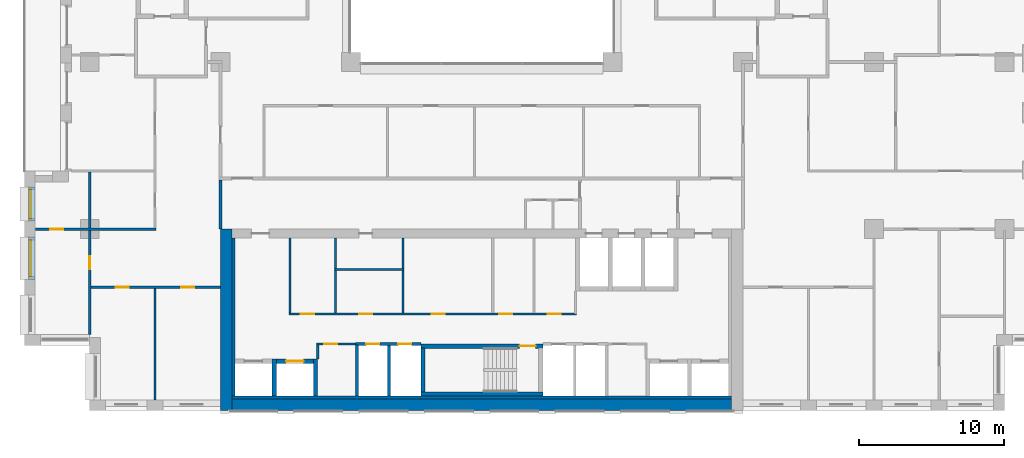
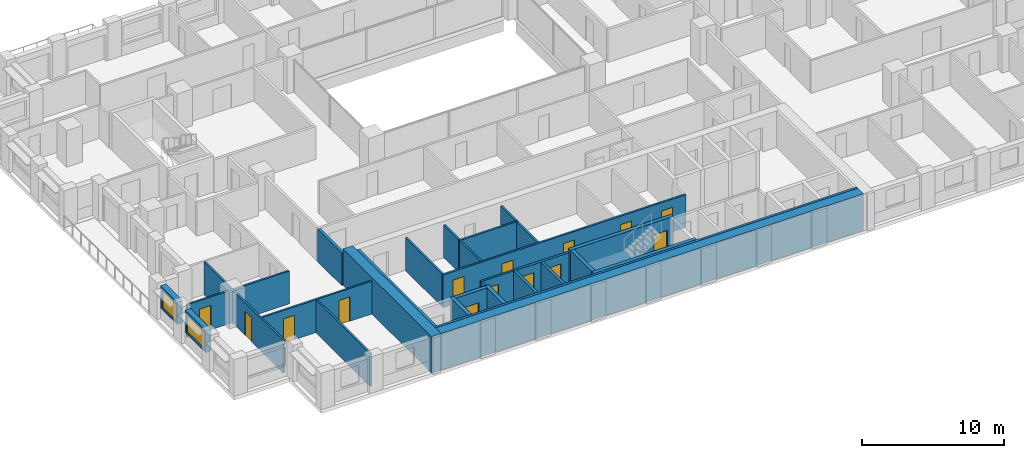
# One storey, part 8 of 17: 30 walls, 14 doors, 2 windows, 16 openings.
"""IFC4 building model written with IfcOpenShell, lengths in metres."""

from ifc_helpers import new_model, si_unit, direction, frame, frame_2d, origin, place, context, subcontext, project, spatial, rectangle, extrude, material, layer, layer_set, type_object, element, fill, save


model = new_model("IFC4")

# Units and contexts
model_context = context("Model", 3, precision=1e-05, world=origin(), true_north=direction((0.0, 1.0)))
body_context = subcontext(model_context, "Body", "Model", "MODEL_VIEW")
ifc_project = project(units=[si_unit("LENGTHUNIT", "METRE"), si_unit("AREAUNIT", "SQUARE_METRE"), si_unit("VOLUMEUNIT", "CUBIC_METRE"), si_unit("PLANEANGLEUNIT", "RADIAN"), si_unit("MASSUNIT", "GRAM", prefix="KILO")], contexts=[model_context])

# Site, building, storey
site_placement = place(None, origin())
site = spatial("IfcSite", under=ifc_project, at=site_placement, CompositionType="ELEMENT")
building_placement = place(site_placement, origin())
building = spatial("IfcBuilding", under=site, at=building_placement, Name="Brigalow Station Residences", CompositionType="ELEMENT")
storey_placement = place(building_placement, frame((0.0, 0.0, 111.89990234375)))
storey = spatial("IfcBuildingStorey", under=building, at=storey_placement, Name="L32", CompositionType="ELEMENT", Elevation=111.89990234375)

# Wall, opening, window
ifc_material_1 = material(Name="Clay brick masonry", Category="masonry")
ifc_layer_1 = layer(ifc_material_1, 0.449951171875)
ifc_layer_set_1 = layer_set([ifc_layer_1], Name="BRICK INFILL WALL 450")
wall_type_1 = type_object("IfcWallType", Name="BRICK INFILL WALL 450", PredefinedType="SOLIDWALL", material=ifc_layer_set_1)
wall_1_placement = place(storey_placement, frame((5.02490234375, 15.39990234375, 0.900146484375), z_axis=(0.0, 0.0, 1.0), x_axis=(0.0, -1.0, 0.0)))
wall_1 = element("IfcWall", 1, at=wall_1_placement, inside=storey, type_object=wall_type_1, Name="L32/ewall/W-L32-47", PredefinedType="SOLIDWALL", context=body_context, shape_type="SweptSolid", body=[
    extrude(rectangle(XDim=2.349853515625, YDim=0.449951171875, at=frame_2d((1.1748046875, 0.0))), origin(), (0.0, 0.0, 1.0), 1.929931640625),
])
opening_1_placement = place(wall_1_placement, frame((0.175048828125, 0.0, 0.14990234375)))
opening_1 = element("IfcOpeningElement", 2, at=opening_1_placement, cuts=wall_1, Name="Opening WT-7", PredefinedType="OPENING", context=body_context, shape_type="SweptSolid", body=[
    extrude(rectangle(XDim=2.0, YDim=1.5, at=frame_2d((1.0, 0.75))), frame((0.0, 0.23486328125, 0.0), z_axis=(0.0, -1.0, 0.0), x_axis=(1.0, 0.0, 0.0)), (0.0, 0.0, 1.0), 0.469970703125),
])
ifc_material_2 = material(Name="Anodised aluminium frame with double glazing", Category="aluminium")
window_type_1 = type_object("IfcWindowType", Name="WINDOW 2000x1500", PartitioningType="SINGLE_PANEL", PredefinedType="WINDOW", material=ifc_material_2)
window_1_placement = place(opening_1_placement, origin())
window_1 = element("IfcWindow", 3, at=window_1_placement, inside=storey, type_object=window_type_1, Name="L32/window/W-L32-47", OverallHeight=1.5, OverallWidth=2.0, PartitioningType="SINGLE_PANEL", PredefinedType="WINDOW", context=body_context, shape_type="SweptSolid", body=[
    extrude(rectangle(XDim=2.0, YDim=1.5, at=frame_2d((1.0, 0.75))), frame((0.0, -0.06494140625, 0.0), z_axis=(0.0, -1.0, 0.0), x_axis=(1.0, 0.0, 0.0)), (0.0, 0.0, 1.0), 0.06005859375),
])
fill(opening_1, window_1)

wall_2_placement = place(storey_placement, frame((5.02490234375, 11.949951171875, 0.900146484375), z_axis=(0.0, 0.0, 1.0), x_axis=(0.0, -1.0, 0.0)))
wall_2 = element("IfcWall", 4, at=wall_2_placement, inside=storey, type_object=wall_type_1, Name="L32/ewall/W-L32-48", PredefinedType="SOLIDWALL", context=body_context, shape_type="SweptSolid", body=[
    extrude(rectangle(XDim=2.89990234375, YDim=0.449951171875, at=frame_2d((1.449951171875, 0.0))), origin(), (0.0, 0.0, 1.0), 1.929931640625),
])
opening_2_placement = place(wall_2_placement, frame((0.199951171875, 0.0, 0.14990234375)))
opening_2 = element("IfcOpeningElement", 5, at=opening_2_placement, cuts=wall_2, Name="Opening WT-5", PredefinedType="OPENING", context=body_context, shape_type="SweptSolid", body=[
    extrude(rectangle(XDim=2.5, YDim=1.5, at=frame_2d((1.25, 0.75))), frame((0.0, 0.23486328125, 0.0), z_axis=(0.0, -1.0, 0.0), x_axis=(1.0, 0.0, 0.0)), (0.0, 0.0, 1.0), 0.469970703125),
])
ifc_material_3 = material(Name="Anodised aluminium frame with double glazing", Category="aluminium")
window_type_2 = type_object("IfcWindowType", Name="WINDOW 2500x1500", PartitioningType="SINGLE_PANEL", PredefinedType="WINDOW", material=ifc_material_3)
window_2_placement = place(opening_2_placement, origin())
window_2 = element("IfcWindow", 6, at=window_2_placement, inside=storey, type_object=window_type_2, Name="L32/window/W-L32-48", OverallHeight=1.5, OverallWidth=2.5, PartitioningType="SINGLE_PANEL", PredefinedType="WINDOW", context=body_context, shape_type="SweptSolid", body=[
    extrude(rectangle(XDim=2.5, YDim=1.5, at=frame_2d((1.25, 0.75))), frame((0.0, -0.06494140625, 0.0), z_axis=(0.0, -1.0, 0.0), x_axis=(1.0, 0.0, 0.0)), (0.0, 0.0, 1.0), 0.06005859375),
])
fill(opening_2, window_2)

# Walls
ifc_material_4 = material(Name="Concrete C65", Category="concrete")
ifc_layer_2 = layer(ifc_material_4, 0.199951171875)
ifc_layer_set_2 = layer_set([ifc_layer_2], Name="CORE SHEAR WALL 200 C65")
wall_type_2 = type_object("IfcWallType", Name="CORE SHEAR WALL 200 C65", PredefinedType="SHEAR", material=ifc_layer_set_2)
wall_3_placement = place(storey_placement, frame((18.89990234375, 1.0, 0.0), z_axis=(0.0, 0.0, 1.0), x_axis=(0.0, 1.0, 0.0)))
element("IfcWall", 7, at=wall_3_placement, inside=storey, type_object=wall_type_2, Name="CORE WALL LIN-W L32", PredefinedType="SHEAR", context=body_context, shape_type="SweptSolid", body=[
    extrude(rectangle(XDim=10.89990234375, YDim=0.199951171875, at=frame_2d((5.449951171875, 0.0))), origin(), (0.0, 0.0, 1.0), 3.150146484375),
])
wall_4_placement = place(storey_placement, frame((18.800048828125, 0.89990234375, 0.0), z_axis=(0.0, 0.0, 1.0), x_axis=(1.0, 0.0, 0.0)))
element("IfcWall", 8, at=wall_4_placement, inside=storey, type_object=wall_type_2, Name="CORE WALL LIN-S L32", PredefinedType="SHEAR", context=body_context, shape_type="SweptSolid", body=[
    extrude(rectangle(XDim=34.39990234375, YDim=0.199951171875, at=frame_2d((17.199951171875, 0.0))), origin(), (0.0, 0.0, 1.0), 3.150146484375),
])

# Wall, opening, door
ifc_material_5 = material(Name="Concrete C65", Category="concrete")
ifc_layer_3 = layer(ifc_material_5, 0.300048828125)
ifc_layer_set_3 = layer_set([ifc_layer_3], Name="CORE SHEAR WALL 300 C65")
wall_type_3 = type_object("IfcWallType", Name="CORE SHEAR WALL 300 C65", PredefinedType="SHEAR", material=ifc_layer_set_3)
wall_5_placement = place(storey_placement, frame((21.85009765625, 3.39990234375, 0.0), z_axis=(0.0, 0.0, 1.0), x_axis=(1.0, 0.0, 0.0)))
wall_5 = element("IfcWall", 9, at=wall_5_placement, inside=storey, type_object=wall_type_3, Name="CORE WALL SH-C2-N L32", PredefinedType="SHEAR", context=body_context, shape_type="SweptSolid", body=[
    extrude(rectangle(XDim=2.5498046875, YDim=0.300048828125, at=frame_2d((1.27490234375, 0.0))), origin(), (0.0, 0.0, 1.0), 3.150146484375),
])
opening_3_placement = place(wall_5_placement, frame((0.675048828125, 0.0, 0.0)))
opening_3 = element("IfcOpeningElement", 10, at=opening_3_placement, cuts=wall_5, Name="Opening LD-LB2", PredefinedType="OPENING", context=body_context, shape_type="SweptSolid", body=[
    extrude(rectangle(XDim=1.199951171875, YDim=2.10009765625, at=frame_2d((0.60009765625, 1.050048828125))), frame((0.0, 0.16015625, 0.0), z_axis=(0.0, -1.0, 0.0), x_axis=(1.0, 0.0, 0.0)), (0.0, 0.0, 1.0), 0.320068359375),
])
ifc_material_6 = material(Name="Stainless steel sliding door leaves", Category="steel")
door_type_1 = type_object("IfcDoorType", Name="LIFT LANDING DOOR 1200 x 2100", OperationType="DOUBLE_DOOR_SLIDING", PredefinedType="DOOR", material=ifc_material_6)
door_1_placement = place(opening_3_placement, origin())
door_1 = element("IfcDoor", 11, at=door_1_placement, inside=storey, type_object=door_type_1, Name="LANDING DOOR LB2", OperationType="DOUBLE_DOOR_SLIDING", OverallHeight=2.10009765625, OverallWidth=1.199951171875, PredefinedType="DOOR", context=body_context, shape_type="SweptSolid", body=[
    extrude(rectangle(XDim=1.199951171875, YDim=2.10009765625, at=frame_2d((0.60009765625, 1.050048828125))), frame((0.0, 0.02490234375, 0.0), z_axis=(0.0, -1.0, 0.0), x_axis=(1.0, 0.0, 0.0)), (0.0, 0.0, 1.0), 0.050048828125),
])
fill(opening_3, door_1)

# Walls
for number, where, z_axis, x_axis, name in (
    (12, (21.699951171875, 1.0, 0.0), (0.0, 0.0, 1.0), (0.0, 1.0, 0.0), "CORE WALL SH-C2-W L32"),
    (13, (24.550048828125, 1.0, 0.0), (0.0, 0.0, 1.0), (0.0, 1.0, 0.0), "CORE WALL SH-C2-E L32"),
):
    element("IfcWall", number, at=place(storey_placement, frame(where, z_axis=z_axis, x_axis=x_axis)), inside=storey, type_object=wall_type_3, Name=name, PredefinedType="SHEAR", context=body_context, shape_type="SweptSolid", body=[
        extrude(rectangle(XDim=2.550048828125, YDim=0.300048828125, at=frame_2d((1.27490234375, 0.0))), origin(), (0.0, 0.0, 1.0), 3.150146484375),
    ])
wall_6_placement = place(storey_placement, frame((31.800048828125, 1.14990234375, 0.0), z_axis=(0.0, 0.0, 1.0), x_axis=(1.0, 0.0, 0.0)))
element("IfcWall", 14, at=wall_6_placement, inside=storey, type_object=wall_type_3, Name="CORE WALL ST-S2-S L32", PredefinedType="SHEAR", context=body_context, shape_type="SweptSolid", body=[
    extrude(rectangle(XDim=8.39990234375, YDim=0.300048828125, at=frame_2d((4.199951171875, 0.0))), origin(), (0.0, 0.0, 1.0), 3.150146484375),
])

# Wall, opening, door
wall_7_placement = place(storey_placement, frame((31.800048828125, 4.449951171875, 0.0), z_axis=(0.0, 0.0, 1.0), x_axis=(1.0, 0.0, 0.0)))
wall_7 = element("IfcWall", 15, at=wall_7_placement, inside=storey, type_object=wall_type_3, Name="CORE WALL ST-S2-N L32", PredefinedType="SHEAR", context=body_context, shape_type="SweptSolid", body=[
    extrude(rectangle(XDim=8.39990234375, YDim=0.300048828125, at=frame_2d((4.199951171875, 0.0))), origin(), (0.0, 0.0, 1.0), 3.150146484375),
])
opening_4_placement = place(wall_7_placement, frame((6.800048828125, 0.0, 0.0)))
opening_4 = element("IfcOpeningElement", 16, at=opening_4_placement, cuts=wall_7, Name="Opening D-5001", PredefinedType="OPENING", context=body_context, shape_type="SweptSolid", body=[
    extrude(rectangle(XDim=1.10009765625, YDim=2.10009765625, at=frame_2d((0.550048828125, 1.050048828125))), frame((0.0, 0.16015625, 0.0), z_axis=(0.0, -1.0, 0.0), x_axis=(1.0, 0.0, 0.0)), (0.0, 0.0, 1.0), 0.320068359375),
])
ifc_material_7 = material(Name="Steel fire door leaf in steel frame", Category="steel")
door_type_2 = type_object("IfcDoorType", Name="STAIR DOOR 1100 x 2100 FD60S", OperationType="SINGLE_SWING_LEFT", PredefinedType="DOOR", material=ifc_material_7)
door_2_placement = place(opening_4_placement, frame((1.10009765625, 0.0, 0.0), z_axis=(0.0, 0.0, 1.0), x_axis=(-1.0, 0.0, 0.0)))
door_2 = element("IfcDoor", 17, at=door_2_placement, inside=storey, type_object=door_type_2, Name="D-5001", OperationType="SINGLE_SWING_LEFT", OverallHeight=2.10009765625, OverallWidth=1.10009765625, PredefinedType="DOOR", context=body_context, shape_type="SweptSolid", body=[
    extrude(rectangle(XDim=1.10009765625, YDim=2.10009765625, at=frame_2d((0.550048828125, 1.050048828125))), frame((0.0, 0.02490234375, 0.0), z_axis=(0.0, -1.0, 0.0), x_axis=(1.0, 0.0, 0.0)), (0.0, 0.0, 1.0), 0.050048828125),
])
fill(opening_4, door_2)

# Walls
wall_8_placement = place(storey_placement, frame((31.949951171875, 1.300048828125, 0.0), z_axis=(0.0, 0.0, 1.0), x_axis=(0.0, 1.0, 0.0)))
element("IfcWall", 18, at=wall_8_placement, inside=storey, type_object=wall_type_3, Name="CORE WALL ST-S2-W L32", PredefinedType="SHEAR", context=body_context, shape_type="SweptSolid", body=[
    extrude(rectangle(XDim=3.0, YDim=0.300048828125, at=frame_2d((1.5, 0.0))), origin(), (0.0, 0.0, 1.0), 3.150146484375),
])
ifc_material_8 = material(Name="Concrete C65", Category="concrete")
ifc_layer_4 = layer(ifc_material_8, 0.800048828125)
ifc_layer_set_4 = layer_set([ifc_layer_4], Name="CORE SHEAR WALL 800 C65")
wall_type_4 = type_object("IfcWallType", Name="CORE SHEAR WALL 800 C65", PredefinedType="SHEAR", material=ifc_layer_set_4)
wall_9_placement = place(storey_placement, frame((18.39990234375, 0.0, 0.0), z_axis=(0.0, 0.0, 1.0), x_axis=(0.0, 1.0, 0.0)))
element("IfcWall", 19, at=wall_9_placement, inside=storey, type_object=wall_type_4, Name="CORE WALL OUT-W L32", PredefinedType="SHEAR", context=body_context, shape_type="SweptSolid", body=[
    extrude(rectangle(XDim=12.5, YDim=0.800048828125, at=frame_2d((6.25, 0.0))), origin(), (0.0, 0.0, 1.0), 3.150146484375),
])
wall_10_placement = place(storey_placement, frame((18.800048828125, 0.39990234375, 0.0), z_axis=(0.0, 0.0, 1.0), x_axis=(1.0, 0.0, 0.0)))
element("IfcWall", 20, at=wall_10_placement, inside=storey, type_object=wall_type_4, Name="CORE WALL OUT-S L32", PredefinedType="SHEAR", context=body_context, shape_type="SweptSolid", body=[
    extrude(rectangle(XDim=34.39990234375, YDim=0.800048828125, at=frame_2d((17.199951171875, 0.0))), origin(), (0.0, 0.0, 1.0), 3.150146484375),
])

# Wall, openings, doors
ifc_material_9 = material(Name="Concrete blockwork", Category="masonry")
ifc_layer_5 = layer(ifc_material_9, 0.199951171875)
ifc_layer_set_5 = layer_set([ifc_layer_5], Name="FIRE RATED CORE PARTITION 200")
wall_type_5 = type_object("IfcWallType", Name="FIRE RATED CORE PARTITION 200", PredefinedType="PARTITIONING", material=ifc_layer_set_5)
wall_11_placement = place(storey_placement, frame((27.300048828125, 4.60009765625, 0.0), z_axis=(0.0, 0.0, 1.0), x_axis=(1.0, 0.0, 0.0)))
wall_11 = element("IfcWall", 21, at=wall_11_placement, inside=storey, type_object=wall_type_5, Name="PW-5017", PredefinedType="PARTITIONING", context=body_context, shape_type="SweptSolid", body=[
    extrude(rectangle(XDim=4.5, YDim=0.199951171875, at=frame_2d((2.25, 0.0))), origin(), (0.0, 0.0, 1.0), 2.830078125),
])
opening_5_placement = place(wall_11_placement, frame((0.75, 0.0, 0.0)))
opening_5 = element("IfcOpeningElement", 22, at=opening_5_placement, cuts=wall_11, Name="Opening D-5007", PredefinedType="OPENING", context=body_context, shape_type="SweptSolid", body=[
    extrude(rectangle(XDim=0.89990234375, YDim=2.10009765625, at=frame_2d((0.449951171875, 1.050048828125))), frame((0.0, 0.10986328125, 0.0), z_axis=(0.0, -1.0, 0.0), x_axis=(1.0, 0.0, 0.0)), (0.0, 0.0, 1.0), 0.219970703125),
])
opening_6_placement = place(wall_11_placement, frame((2.949951171875, 0.0, 0.0)))
opening_6 = element("IfcOpeningElement", 23, at=opening_6_placement, cuts=wall_11, Name="Opening D-5008", PredefinedType="OPENING", context=body_context, shape_type="SweptSolid", body=[
    extrude(rectangle(XDim=0.89990234375, YDim=2.10009765625, at=frame_2d((0.449951171875, 1.050048828125))), frame((0.0, 0.10986328125, 0.0), z_axis=(0.0, -1.0, 0.0), x_axis=(1.0, 0.0, 0.0)), (0.0, 0.0, 1.0), 0.219970703125),
])
ifc_material_10 = material(Name="Steel fire door leaf in steel frame", Category="steel")
door_type_3 = type_object("IfcDoorType", Name="RISER ACCESS DOOR 900 x 2100 FD120", OperationType="SINGLE_SWING_LEFT", PredefinedType="DOOR", material=ifc_material_10)
door_3_placement = place(opening_5_placement, frame((0.89990234375, 0.0, 0.0), z_axis=(0.0, 0.0, 1.0), x_axis=(-1.0, 0.0, 0.0)))
door_3 = element("IfcDoor", 24, at=door_3_placement, inside=storey, type_object=door_type_3, Name="D-5007", OperationType="SINGLE_SWING_RIGHT", OverallHeight=2.10009765625, OverallWidth=0.89990234375, PredefinedType="DOOR", context=body_context, shape_type="SweptSolid", body=[
    extrude(rectangle(XDim=0.89990234375, YDim=2.10009765625, at=frame_2d((0.449951171875, 1.050048828125))), frame((0.0, 0.02490234375, 0.0), z_axis=(0.0, -1.0, 0.0), x_axis=(1.0, 0.0, 0.0)), (0.0, 0.0, 1.0), 0.050048828125),
])
fill(opening_5, door_3)
door_4_placement = place(opening_6_placement, frame((0.89990234375, 0.0, 0.0), z_axis=(0.0, 0.0, 1.0), x_axis=(-1.0, 0.0, 0.0)))
door_4 = element("IfcDoor", 25, at=door_4_placement, inside=storey, type_object=door_type_3, Name="D-5008", OperationType="SINGLE_SWING_RIGHT", OverallHeight=2.10009765625, OverallWidth=0.89990234375, PredefinedType="DOOR", context=body_context, shape_type="SweptSolid", body=[
    extrude(rectangle(XDim=0.89990234375, YDim=2.10009765625, at=frame_2d((0.449951171875, 1.050048828125))), frame((0.0, 0.02490234375, 0.0), z_axis=(0.0, -1.0, 0.0), x_axis=(1.0, 0.0, 0.0)), (0.0, 0.0, 1.0), 0.050048828125),
])
fill(opening_6, door_4)

# Walls
wall_12_placement = place(storey_placement, frame((27.39990234375, 1.0, 0.0), z_axis=(0.0, 0.0, 1.0), x_axis=(0.0, 1.0, 0.0)))
element("IfcWall", 26, at=wall_12_placement, inside=storey, type_object=wall_type_5, Name="PW-5027", PredefinedType="PARTITIONING", context=body_context, shape_type="SweptSolid", body=[
    extrude(rectangle(XDim=3.52490234375, YDim=0.199951171875, at=frame_2d((1.762451171875, 0.0))), origin(), (0.0, 0.0, 1.0), 2.830078125),
])
wall_13_placement = place(storey_placement, frame((29.60009765625, 1.0, 0.0), z_axis=(0.0, 0.0, 1.0), x_axis=(0.0, 1.0, 0.0)))
element("IfcWall", 27, at=wall_13_placement, inside=storey, type_object=wall_type_5, Name="PW-5006", PredefinedType="PARTITIONING", context=body_context, shape_type="SweptSolid", body=[
    extrude(rectangle(XDim=3.5, YDim=0.199951171875, at=frame_2d((1.75, 0.0))), origin(), (0.0, 0.0, 1.0), 2.830078125),
])
wall_14_placement = place(storey_placement, frame((18.0, 12.5, 0.0), z_axis=(0.0, 0.0, 1.0), x_axis=(0.0, 1.0, 0.0)))
element("IfcWall", 28, at=wall_14_placement, inside=storey, type_object=wall_type_5, Name="PW-5013", PredefinedType="PARTITIONING", context=body_context, shape_type="SweptSolid", body=[
    extrude(rectangle(XDim=3.39990234375, YDim=0.199951171875, at=frame_2d((1.699951171875, 0.0))), origin(), (0.0, 0.0, 1.0), 2.830078125),
])

# Wall, opening, door
ifc_material_11 = material(Name="Plasterboard on steel stud partition", Category="steel")
ifc_layer_6 = layer(ifc_material_11, 0.14990234375)
ifc_layer_set_6 = layer_set([ifc_layer_6], Name="FLAT PARTITION 150")
wall_type_6 = type_object("IfcWallType", Name="FLAT PARTITION 150", PredefinedType="PARTITIONING", material=ifc_layer_set_6)
wall_15_placement = place(storey_placement, frame((5.25, 12.5, 0.0), z_axis=(0.0, 0.0, 1.0), x_axis=(1.0, 0.0, 0.0)))
wall_15 = element("IfcWall", 29, at=wall_15_placement, inside=storey, type_object=wall_type_6, Name="PW-2D10", PredefinedType="PARTITIONING", context=body_context, shape_type="SweptSolid", body=[
    extrude(rectangle(XDim=8.324951171875, YDim=0.14990234375, at=frame_2d((4.16259765625, 0.0))), origin(), (0.0, 0.0, 1.0), 2.830078125),
])
opening_7_placement = place(wall_15_placement, frame((1.02490234375, 0.0, 0.0)))
opening_7 = element("IfcOpeningElement", 30, at=opening_7_placement, cuts=wall_15, Name="Opening D-2D05", PredefinedType="OPENING", context=body_context, shape_type="SweptSolid", body=[
    extrude(rectangle(XDim=0.89990234375, YDim=2.10009765625, at=frame_2d((0.449951171875, 1.050048828125))), frame((0.0, 0.0849609375, 0.0), z_axis=(0.0, -1.0, 0.0), x_axis=(1.0, 0.0, 0.0)), (0.0, 0.0, 1.0), 0.169921875),
])
ifc_material_12 = material(Name="Solid-core timber door leaf", Category="wood")
door_type_4 = type_object("IfcDoorType", Name="INTERNAL DOOR 900 x 2100", OperationType="SINGLE_SWING_LEFT", PredefinedType="DOOR", material=ifc_material_12)
door_5_placement = place(opening_7_placement, origin())
door_5 = element("IfcDoor", 31, at=door_5_placement, inside=storey, type_object=door_type_4, Name="D-2D05", OperationType="SINGLE_SWING_LEFT", OverallHeight=2.10009765625, OverallWidth=0.89990234375, PredefinedType="DOOR", context=body_context, shape_type="SweptSolid", body=[
    extrude(rectangle(XDim=0.89990234375, YDim=2.10009765625, at=frame_2d((0.449951171875, 1.050048828125))), frame((0.0, 0.02490234375, 0.0), z_axis=(0.0, -1.0, 0.0), x_axis=(1.0, 0.0, 0.0)), (0.0, 0.0, 1.0), 0.050048828125),
])
fill(opening_7, door_5)

# Wall, openings, doors
wall_16_placement = place(storey_placement, frame((9.074951171875, 8.5, 0.0), z_axis=(0.0, 0.0, 1.0), x_axis=(1.0, 0.0, 0.0)))
wall_16 = element("IfcWall", 32, at=wall_16_placement, inside=storey, type_object=wall_type_6, Name="PW-2D14", PredefinedType="PARTITIONING", context=body_context, shape_type="SweptSolid", body=[
    extrude(rectangle(XDim=8.925048828125, YDim=0.14990234375, at=frame_2d((4.46240234375, 0.0))), origin(), (0.0, 0.0, 1.0), 2.830078125),
])
opening_8_placement = place(wall_16_placement, frame((1.72509765625, 0.0, 0.0)))
opening_8 = element("IfcOpeningElement", 33, at=opening_8_placement, cuts=wall_16, Name="Opening D-2D06", PredefinedType="OPENING", context=body_context, shape_type="SweptSolid", body=[
    extrude(rectangle(XDim=0.89990234375, YDim=2.10009765625, at=frame_2d((0.449951171875, 1.050048828125))), frame((0.0, 0.0849609375, 0.0), z_axis=(0.0, -1.0, 0.0), x_axis=(1.0, 0.0, 0.0)), (0.0, 0.0, 1.0), 0.169921875),
])
opening_9_placement = place(wall_16_placement, frame((6.22509765625, 0.0, 0.0)))
opening_9 = element("IfcOpeningElement", 34, at=opening_9_placement, cuts=wall_16, Name="Opening D-2D07", PredefinedType="OPENING", context=body_context, shape_type="SweptSolid", body=[
    extrude(rectangle(XDim=0.89990234375, YDim=2.10009765625, at=frame_2d((0.449951171875, 1.050048828125))), frame((0.0, 0.0849609375, 0.0), z_axis=(0.0, -1.0, 0.0), x_axis=(1.0, 0.0, 0.0)), (0.0, 0.0, 1.0), 0.169921875),
])
door_6_placement = place(opening_8_placement, frame((0.89990234375, 0.0, 0.0), z_axis=(0.0, 0.0, 1.0), x_axis=(-1.0, 0.0, 0.0)))
door_6 = element("IfcDoor", 35, at=door_6_placement, inside=storey, type_object=door_type_4, Name="D-2D06", OperationType="SINGLE_SWING_LEFT", OverallHeight=2.10009765625, OverallWidth=0.89990234375, PredefinedType="DOOR", context=body_context, shape_type="SweptSolid", body=[
    extrude(rectangle(XDim=0.89990234375, YDim=2.10009765625, at=frame_2d((0.449951171875, 1.050048828125))), frame((0.0, 0.02490234375, 0.0), z_axis=(0.0, -1.0, 0.0), x_axis=(1.0, 0.0, 0.0)), (0.0, 0.0, 1.0), 0.050048828125),
])
fill(opening_8, door_6)
door_7_placement = place(opening_9_placement, frame((0.89990234375, 0.0, 0.0), z_axis=(0.0, 0.0, 1.0), x_axis=(-1.0, 0.0, 0.0)))
door_7 = element("IfcDoor", 36, at=door_7_placement, inside=storey, type_object=door_type_4, Name="D-2D07", OperationType="SINGLE_SWING_RIGHT", OverallHeight=2.10009765625, OverallWidth=0.89990234375, PredefinedType="DOOR", context=body_context, shape_type="SweptSolid", body=[
    extrude(rectangle(XDim=0.89990234375, YDim=2.10009765625, at=frame_2d((0.449951171875, 1.050048828125))), frame((0.0, 0.02490234375, 0.0), z_axis=(0.0, -1.0, 0.0), x_axis=(1.0, 0.0, 0.0)), (0.0, 0.0, 1.0), 0.050048828125),
])
fill(opening_9, door_7)

# Wall, opening, door
wall_17_placement = place(storey_placement, frame((9.0, 5.25, 0.0), z_axis=(0.0, 0.0, 1.0), x_axis=(0.0, 1.0, 0.0)))
wall_17 = element("IfcWall", 37, at=wall_17_placement, inside=storey, type_object=wall_type_6, Name="PW-2D45", PredefinedType="PARTITIONING", context=body_context, shape_type="SweptSolid", body=[
    extrude(rectangle(XDim=7.175048828125, YDim=0.14990234375, at=frame_2d((3.58740234375, 0.0))), origin(), (0.0, 0.0, 1.0), 2.830078125),
])
opening_10_placement = place(wall_17_placement, frame((4.47509765625, 0.0, 0.0)))
opening_10 = element("IfcOpeningElement", 38, at=opening_10_placement, cuts=wall_17, Name="Opening D-2D04", PredefinedType="OPENING", context=body_context, shape_type="SweptSolid", body=[
    extrude(rectangle(XDim=0.89990234375, YDim=2.10009765625, at=frame_2d((0.449951171875, 1.050048828125))), frame((0.0, 0.0849609375, 0.0), z_axis=(0.0, -1.0, 0.0), x_axis=(1.0, 0.0, 0.0)), (0.0, 0.0, 1.0), 0.169921875),
])
door_8_placement = place(opening_10_placement, origin())
door_8 = element("IfcDoor", 39, at=door_8_placement, inside=storey, type_object=door_type_4, Name="D-2D04", OperationType="SINGLE_SWING_RIGHT", OverallHeight=2.10009765625, OverallWidth=0.89990234375, PredefinedType="DOOR", context=body_context, shape_type="SweptSolid", body=[
    extrude(rectangle(XDim=0.89990234375, YDim=2.10009765625, at=frame_2d((0.449951171875, 1.050048828125))), frame((0.0, 0.02490234375, 0.0), z_axis=(0.0, -1.0, 0.0), x_axis=(1.0, 0.0, 0.0)), (0.0, 0.0, 1.0), 0.050048828125),
])
fill(opening_10, door_8)

# Walls
wall_18_placement = place(storey_placement, frame((9.0, 12.574951171875, 0.0), z_axis=(0.0, 0.0, 1.0), x_axis=(0.0, 1.0, 0.0)))
element("IfcWall", 40, at=wall_18_placement, inside=storey, type_object=wall_type_6, Name="PW-2D46", PredefinedType="PARTITIONING", context=body_context, shape_type="SweptSolid", body=[
    extrude(rectangle(XDim=3.85009765625, YDim=0.14990234375, at=frame_2d((1.925048828125, 0.0))), origin(), (0.0, 0.0, 1.0), 2.830078125),
])
wall_19_placement = place(storey_placement, frame((13.5, 0.75, 0.0), z_axis=(0.0, 0.0, 1.0), x_axis=(0.0, 1.0, 0.0)))
element("IfcWall", 41, at=wall_19_placement, inside=storey, type_object=wall_type_6, Name="PW-2D47", PredefinedType="PARTITIONING", context=body_context, shape_type="SweptSolid", body=[
    extrude(rectangle(XDim=7.675048828125, YDim=0.14990234375, at=frame_2d((3.83740234375, 0.0))), origin(), (0.0, 0.0, 1.0), 2.830078125),
])

# Wall, opening, door
ifc_material_13 = material(Name="Plasterboard on steel studs", Category="steel")
ifc_layer_7 = layer(ifc_material_13, 0.14990234375)
ifc_layer_set_7 = layer_set([ifc_layer_7], Name="SERVICE ROOM PARTITION 150")
wall_type_7 = type_object("IfcWallType", Name="SERVICE ROOM PARTITION 150", PredefinedType="PARTITIONING", material=ifc_layer_set_7)
wall_20_placement = place(storey_placement, frame((24.625, 4.60009765625, 0.0), z_axis=(0.0, 0.0, 1.0), x_axis=(1.0, 0.0, 0.0)))
wall_20 = element("IfcWall", 42, at=wall_20_placement, inside=storey, type_object=wall_type_7, Name="PW-5155", PredefinedType="PARTITIONING", context=body_context, shape_type="SweptSolid", body=[
    extrude(rectangle(XDim=2.675048828125, YDim=0.14990234375, at=frame_2d((1.33740234375, 0.0))), origin(), (0.0, 0.0, 1.0), 2.830078125),
])
opening_11_placement = place(wall_20_placement, frame((0.52490234375, 0.0, 0.0)))
opening_11 = element("IfcOpeningElement", 43, at=opening_11_placement, cuts=wall_20, Name="Opening D-5087", PredefinedType="OPENING", context=body_context, shape_type="SweptSolid", body=[
    extrude(rectangle(XDim=0.89990234375, YDim=2.10009765625, at=frame_2d((0.449951171875, 1.050048828125))), frame((0.0, 0.0849609375, 0.0), z_axis=(0.0, -1.0, 0.0), x_axis=(1.0, 0.0, 0.0)), (0.0, 0.0, 1.0), 0.169921875),
])
ifc_material_14 = material(Name="Steel door leaf in steel frame", Category="steel")
door_type_5 = type_object("IfcDoorType", Name="SERVICE ROOM DOOR 900 x 2100 FD60", OperationType="SINGLE_SWING_LEFT", PredefinedType="DOOR", material=ifc_material_14)
door_9_placement = place(opening_11_placement, frame((0.89990234375, 0.0, 0.0), z_axis=(0.0, 0.0, 1.0), x_axis=(-1.0, 0.0, 0.0)))
door_9 = element("IfcDoor", 44, at=door_9_placement, inside=storey, type_object=door_type_5, Name="D-5087", OperationType="SINGLE_SWING_RIGHT", OverallHeight=2.10009765625, OverallWidth=0.89990234375, PredefinedType="DOOR", context=body_context, shape_type="SweptSolid", body=[
    extrude(rectangle(XDim=0.89990234375, YDim=2.10009765625, at=frame_2d((0.449951171875, 1.050048828125))), frame((0.0, 0.02490234375, 0.0), z_axis=(0.0, -1.0, 0.0), x_axis=(1.0, 0.0, 0.0)), (0.0, 0.0, 1.0), 0.050048828125),
])
fill(opening_11, door_9)

# Wall, openings, doors
wall_21_placement = place(storey_placement, frame((22.72509765625, 6.64990234375, 0.0), z_axis=(0.0, 0.0, 1.0), x_axis=(1.0, 0.0, 0.0)))
wall_21 = element("IfcWall", 45, at=wall_21_placement, inside=storey, type_object=wall_type_7, Name="PW-5195", PredefinedType="PARTITIONING", context=body_context, shape_type="SweptSolid", body=[
    extrude(rectangle(XDim=19.7998046875, YDim=0.14990234375, at=frame_2d((9.89990234375, 0.0))), origin(), (0.0, 0.0, 1.0), 2.830078125),
])
opening_12_placement = place(wall_21_placement, frame((0.824951171875, 0.0, 0.0)))
opening_12 = element("IfcOpeningElement", 46, at=opening_12_placement, cuts=wall_21, Name="Opening D-5110", PredefinedType="OPENING", context=body_context, shape_type="SweptSolid", body=[
    extrude(rectangle(XDim=0.89990234375, YDim=2.10009765625, at=frame_2d((0.449951171875, 1.050048828125))), frame((0.0, 0.0849609375, 0.0), z_axis=(0.0, -1.0, 0.0), x_axis=(1.0, 0.0, 0.0)), (0.0, 0.0, 1.0), 0.169921875),
])
opening_13_placement = place(wall_21_placement, frame((4.824951171875, 0.0, 0.0)))
opening_13 = element("IfcOpeningElement", 47, at=opening_13_placement, cuts=wall_21, Name="Opening D-5116", PredefinedType="OPENING", context=body_context, shape_type="SweptSolid", body=[
    extrude(rectangle(XDim=0.89990234375, YDim=2.10009765625, at=frame_2d((0.449951171875, 1.050048828125))), frame((0.0, 0.0849609375, 0.0), z_axis=(0.0, -1.0, 0.0), x_axis=(1.0, 0.0, 0.0)), (0.0, 0.0, 1.0), 0.169921875),
])
opening_14_placement = place(wall_21_placement, frame((9.824951171875, 0.0, 0.0)))
opening_14 = element("IfcOpeningElement", 48, at=opening_14_placement, cuts=wall_21, Name="Opening D-5117", PredefinedType="OPENING", context=body_context, shape_type="SweptSolid", body=[
    extrude(rectangle(XDim=0.89990234375, YDim=2.10009765625, at=frame_2d((0.449951171875, 1.050048828125))), frame((0.0, 0.0849609375, 0.0), z_axis=(0.0, -1.0, 0.0), x_axis=(1.0, 0.0, 0.0)), (0.0, 0.0, 1.0), 0.169921875),
])
opening_15_placement = place(wall_21_placement, frame((14.47509765625, 0.0, 0.0)))
opening_15 = element("IfcOpeningElement", 49, at=opening_15_placement, cuts=wall_21, Name="Opening D-5114", PredefinedType="OPENING", context=body_context, shape_type="SweptSolid", body=[
    extrude(rectangle(XDim=0.89990234375, YDim=2.10009765625, at=frame_2d((0.449951171875, 1.050048828125))), frame((0.0, 0.0849609375, 0.0), z_axis=(0.0, -1.0, 0.0), x_axis=(1.0, 0.0, 0.0)), (0.0, 0.0, 1.0), 0.169921875),
])
opening_16_placement = place(wall_21_placement, frame((17.824951171875, 0.0, 0.0)))
opening_16 = element("IfcOpeningElement", 50, at=opening_16_placement, cuts=wall_21, Name="Opening D-5115", PredefinedType="OPENING", context=body_context, shape_type="SweptSolid", body=[
    extrude(rectangle(XDim=0.89990234375, YDim=2.10009765625, at=frame_2d((0.449951171875, 1.050048828125))), frame((0.0, 0.0849609375, 0.0), z_axis=(0.0, -1.0, 0.0), x_axis=(1.0, 0.0, 0.0)), (0.0, 0.0, 1.0), 0.169921875),
])
door_10_placement = place(opening_12_placement, origin())
door_10 = element("IfcDoor", 51, at=door_10_placement, inside=storey, type_object=door_type_5, Name="D-5110", OperationType="SINGLE_SWING_LEFT", OverallHeight=2.10009765625, OverallWidth=0.89990234375, PredefinedType="DOOR", context=body_context, shape_type="SweptSolid", body=[
    extrude(rectangle(XDim=0.89990234375, YDim=2.10009765625, at=frame_2d((0.449951171875, 1.050048828125))), frame((0.0, 0.02490234375, 0.0), z_axis=(0.0, -1.0, 0.0), x_axis=(1.0, 0.0, 0.0)), (0.0, 0.0, 1.0), 0.050048828125),
])
fill(opening_12, door_10)
door_11_placement = place(opening_13_placement, origin())
door_11 = element("IfcDoor", 52, at=door_11_placement, inside=storey, type_object=door_type_5, Name="D-5116", OperationType="SINGLE_SWING_LEFT", OverallHeight=2.10009765625, OverallWidth=0.89990234375, PredefinedType="DOOR", context=body_context, shape_type="SweptSolid", body=[
    extrude(rectangle(XDim=0.89990234375, YDim=2.10009765625, at=frame_2d((0.449951171875, 1.050048828125))), frame((0.0, 0.02490234375, 0.0), z_axis=(0.0, -1.0, 0.0), x_axis=(1.0, 0.0, 0.0)), (0.0, 0.0, 1.0), 0.050048828125),
])
fill(opening_13, door_11)
door_12_placement = place(opening_14_placement, origin())
door_12 = element("IfcDoor", 53, at=door_12_placement, inside=storey, type_object=door_type_5, Name="D-5117", OperationType="SINGLE_SWING_LEFT", OverallHeight=2.10009765625, OverallWidth=0.89990234375, PredefinedType="DOOR", context=body_context, shape_type="SweptSolid", body=[
    extrude(rectangle(XDim=0.89990234375, YDim=2.10009765625, at=frame_2d((0.449951171875, 1.050048828125))), frame((0.0, 0.02490234375, 0.0), z_axis=(0.0, -1.0, 0.0), x_axis=(1.0, 0.0, 0.0)), (0.0, 0.0, 1.0), 0.050048828125),
])
fill(opening_14, door_12)
door_13_placement = place(opening_15_placement, origin())
door_13 = element("IfcDoor", 54, at=door_13_placement, inside=storey, type_object=door_type_5, Name="D-5114", OperationType="SINGLE_SWING_LEFT", OverallHeight=2.10009765625, OverallWidth=0.89990234375, PredefinedType="DOOR", context=body_context, shape_type="SweptSolid", body=[
    extrude(rectangle(XDim=0.89990234375, YDim=2.10009765625, at=frame_2d((0.449951171875, 1.050048828125))), frame((0.0, 0.02490234375, 0.0), z_axis=(0.0, -1.0, 0.0), x_axis=(1.0, 0.0, 0.0)), (0.0, 0.0, 1.0), 0.050048828125),
])
fill(opening_15, door_13)
door_14_placement = place(opening_16_placement, origin())
door_14 = element("IfcDoor", 55, at=door_14_placement, inside=storey, type_object=door_type_5, Name="D-5115", OperationType="SINGLE_SWING_LEFT", OverallHeight=2.10009765625, OverallWidth=0.89990234375, PredefinedType="DOOR", context=body_context, shape_type="SweptSolid", body=[
    extrude(rectangle(XDim=0.89990234375, YDim=2.10009765625, at=frame_2d((0.449951171875, 1.050048828125))), frame((0.0, 0.02490234375, 0.0), z_axis=(0.0, -1.0, 0.0), x_axis=(1.0, 0.0, 0.0)), (0.0, 0.0, 1.0), 0.050048828125),
])
fill(opening_16, door_14)

# Walls
wall_22_placement = place(storey_placement, frame((25.85498046875, 9.72998046875, 0.0), z_axis=(0.0, 0.0, 1.0), x_axis=(1.0, 0.0, 0.0)))
element("IfcWall", 56, at=wall_22_placement, inside=storey, type_object=wall_type_7, Name="PW-5224", PredefinedType="PARTITIONING", context=body_context, shape_type="SweptSolid", body=[
    extrude(rectangle(XDim=4.7900390625, YDim=0.14990234375, at=frame_2d((2.39501953125, 0.0))), origin(), (0.0, 0.0, 1.0), 2.830078125),
])
wall_23_placement = place(storey_placement, frame((24.699951171875, 3.550048828125, 0.0), z_axis=(0.0, 0.0, 1.0), x_axis=(0.0, 1.0, 0.0)))
element("IfcWall", 57, at=wall_23_placement, inside=storey, type_object=wall_type_7, Name="PW-5157", PredefinedType="PARTITIONING", context=body_context, shape_type="SweptSolid", body=[
    extrude(rectangle(XDim=0.974853515625, YDim=0.14990234375, at=frame_2d((0.4873046875, 0.0))), origin(), (0.0, 0.0, 1.0), 2.830078125),
])
wall_24_placement = place(storey_placement, frame((22.800048828125, 6.72509765625, 0.0), z_axis=(0.0, 0.0, 1.0), x_axis=(0.0, 1.0, 0.0)))
element("IfcWall", 58, at=wall_24_placement, inside=storey, type_object=wall_type_7, Name="PW-5197", PredefinedType="PARTITIONING", context=body_context, shape_type="SweptSolid", body=[
    extrude(rectangle(XDim=5.1748046875, YDim=0.14990234375, at=frame_2d((2.58740234375, 0.0))), origin(), (0.0, 0.0, 1.0), 2.830078125),
])
for number, where, z_axis, x_axis, name in (
    (59, (25.929931640625, 6.72509765625, 0.0), (0.0, 0.0, 1.0), (0.0, 1.0, 0.0), "PW-5225"),
    (60, (30.570068359375, 6.72509765625, 0.0), (0.0, 0.0, 1.0), (0.0, 1.0, 0.0), "PW-5226"),
):
    element("IfcWall", number, at=place(storey_placement, frame(where, z_axis=z_axis, x_axis=x_axis)), inside=storey, type_object=wall_type_7, Name=name, PredefinedType="PARTITIONING", context=body_context, shape_type="SweptSolid", body=[
        extrude(rectangle(XDim=2.929931640625, YDim=0.14990234375, at=frame_2d((1.46484375, 0.0))), origin(), (0.0, 0.0, 1.0), 2.830078125),
    ])
for number, where, z_axis, x_axis, name in (
    (61, (25.929931640625, 9.804931640625, 0.0), (0.0, 0.0, 1.0), (0.0, 1.0, 0.0), "PW-5228"),
    (62, (30.570068359375, 9.804931640625, 0.0), (0.0, 0.0, 1.0), (0.0, 1.0, 0.0), "PW-5229"),
):
    element("IfcWall", number, at=place(storey_placement, frame(where, z_axis=z_axis, x_axis=x_axis)), inside=storey, type_object=wall_type_7, Name=name, PredefinedType="PARTITIONING", context=body_context, shape_type="SweptSolid", body=[
        extrude(rectangle(XDim=2.094970703125, YDim=0.14990234375, at=frame_2d((1.04736328125, 0.0))), origin(), (0.0, 0.0, 1.0), 2.830078125),
    ])

save(model, "model.ifc")
